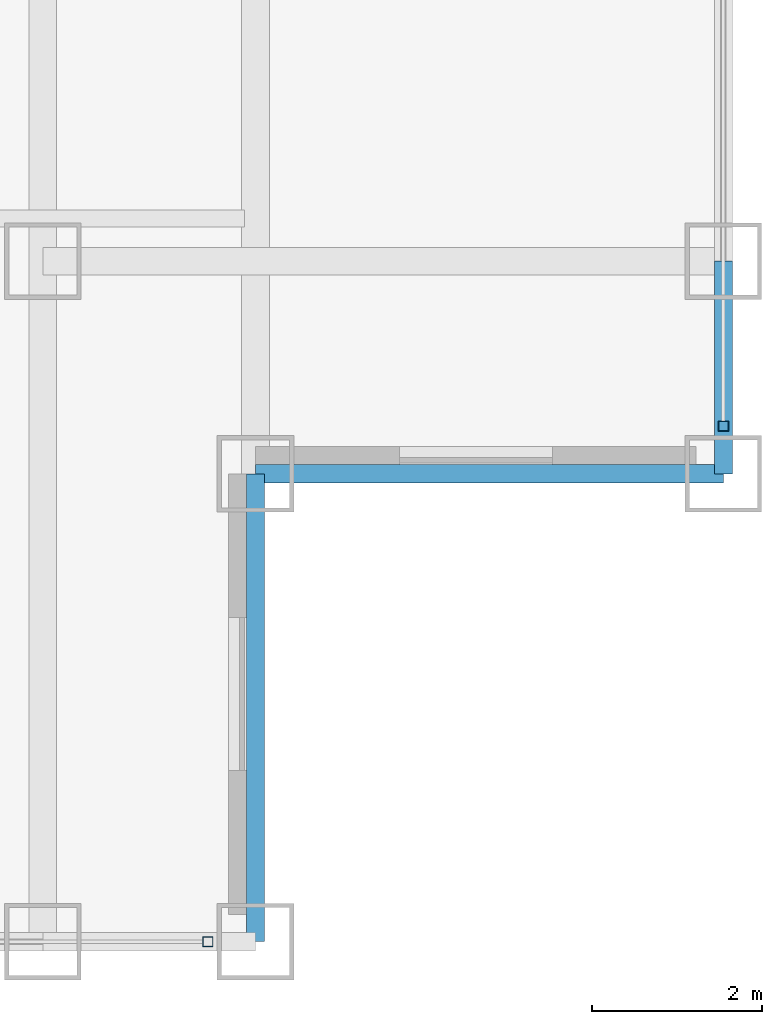
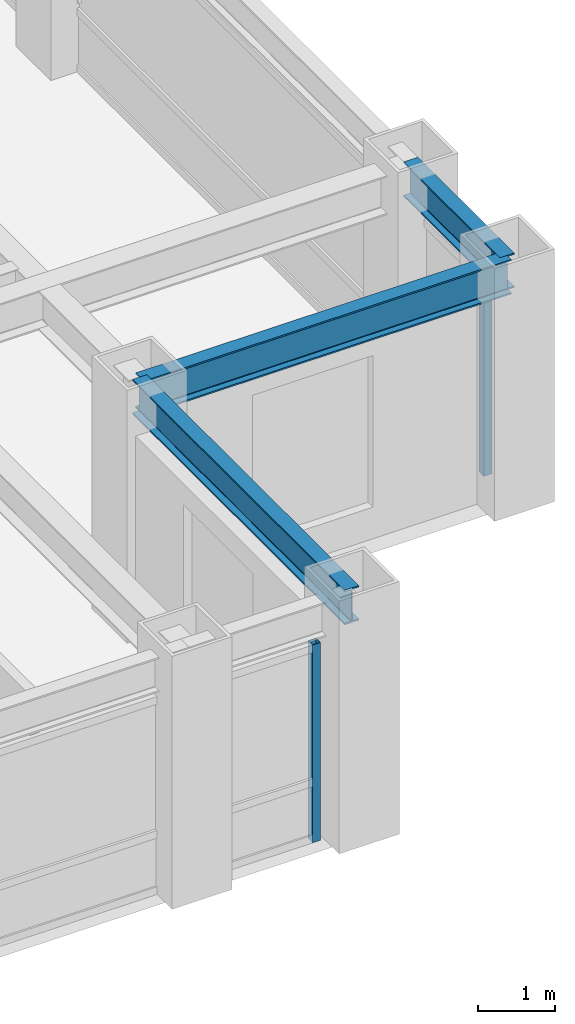
# One storey, part 8 of 22: 3 beams, 2 members, 2 elements without a shape of their own.
"""IFC4 building model written with IfcOpenShell, lengths in metres."""

import ifcopenshell
import ifcopenshell.guid

model = None  # the IFC model being written
_history = None  # IfcOwnerHistory: only IFC2X3 demands one
_inside = {}  # id of a spatial element -> (the spatial element, [elements in it])
_under = {}  # id of a project, library or spatial element -> (it, [spatial elements below it])
_declared = {}  # id of a project -> (the project, [libraries it declares])
_typed = {}  # id of a type object -> (the type object, [elements of that type])
_made_of = {}  # id of a material, layer set ... -> (it, [elements and type objects made of it])


def new_model(schema):
    """Start an empty IFC model of exactly this schema.

    Asked for "IFC4X3", IfcOpenShell would pick the latest addendum, in which some entities
    have other attributes; the version numbers below select the first issue.
    IFC2X3 requires an IfcOwnerHistory on every rooted entity: one is made here for all.
    """
    global model, _history
    if schema == "IFC4X3":
        model = ifcopenshell.file(schema_version=(4, 3, 0, 0))
    else:
        model = ifcopenshell.file(schema=schema)
    _inside.clear()
    _under.clear()
    _declared.clear()
    _typed.clear()
    _made_of.clear()
    _history = None
    if model.schema == "IFC2X3":
        org = make("IfcOrganization", Name="unknown")
        user = make(
            "IfcPersonAndOrganization",
            ThePerson=make("IfcPerson", FamilyName="unknown"),
            TheOrganization=org,
        )
        app = make(
            "IfcApplication",
            ApplicationDeveloper=org,
            Version="unknown",
            ApplicationFullName="unknown",
            ApplicationIdentifier="unknown",
        )
        _history = make(
            "IfcOwnerHistory",
            OwningUser=user,
            OwningApplication=app,
            ChangeAction="ADDED",
            CreationDate=0,
        )
    return model


def make(cls, **values):
    """One entity of the class cls with the attributes given. An attribute that is None is left unset."""
    return model.create_entity(
        cls, **{name: value for name, value in values.items() if value is not None}
    )


def rooted(cls, **values):
    """An entity with a GlobalId (a new one), such as an element, a storey or a relation."""
    return make(cls, GlobalId=ifcopenshell.guid.new(), OwnerHistory=_history, **values)


def si_unit(unit_type, name, prefix=None):
    """IfcSIUnit, for example si_unit("LENGTHUNIT", "METRE", prefix="MILLI")."""
    return make("IfcSIUnit", UnitType=unit_type, Prefix=prefix, Name=name)


def assignment(units):
    """IfcUnitAssignment: the units of a project."""
    return None if units is None else make("IfcUnitAssignment", Units=units)


def point(xyz):
    """IfcCartesianPoint."""
    return None if xyz is None else make("IfcCartesianPoint", Coordinates=xyz)


def direction(xyz):
    """IfcDirection."""
    return None if xyz is None else make("IfcDirection", DirectionRatios=xyz)


def frame(location, z_axis=None, x_axis=None):
    """IfcAxis2Placement3D, a coordinate frame: its origin and axes. An axis left out is left unset."""
    return make(
        "IfcAxis2Placement3D",
        Location=point(location),
        Axis=direction(z_axis),
        RefDirection=direction(x_axis),
    )


def frame_2d(location, x_axis=None):
    """IfcAxis2Placement2D, a coordinate frame in the plane: its origin and x axis."""
    return make(
        "IfcAxis2Placement2D", Location=point(location), RefDirection=direction(x_axis)
    )


def origin():
    """The frame at (0, 0, 0) with its axes left unset."""
    return frame((0.0, 0.0, 0.0))


def origin_2d():
    """The frame at (0, 0) in the plane with its x axis left unset."""
    return frame_2d((0.0, 0.0))


def place(relative_to, where):
    """IfcLocalPlacement: puts the frame where relative to a parent placement (None: the world)."""
    return make(
        "IfcLocalPlacement", PlacementRelTo=relative_to, RelativePlacement=where
    )


def context(
    kind, dimensions, precision=None, world=None, true_north=None, identifier=None
):
    """IfcGeometricRepresentationContext, for example the 3D "Model" context."""
    return make(
        "IfcGeometricRepresentationContext",
        ContextIdentifier=identifier,
        ContextType=kind,
        CoordinateSpaceDimension=dimensions,
        Precision=precision,
        WorldCoordinateSystem=world,
        TrueNorth=true_north,
    )


def subcontext(parent, identifier, kind, view, scale=None):
    """IfcGeometricRepresentationSubContext, for example "Body" below "Model"."""
    return make(
        "IfcGeometricRepresentationSubContext",
        ContextIdentifier=identifier,
        ContextType=kind,
        ParentContext=parent,
        TargetScale=scale,
        TargetView=view,
    )


def project(units=None, contexts=None):
    """IfcProject with its units and contexts."""
    return rooted(
        "IfcProject",
        Name="project",
        RepresentationContexts=contexts,
        UnitsInContext=assignment(units),
    )


def spatial(cls, under=None, at=None, **own):
    """A site, building, storey or space (cls), placed at a placement, below another one or the project."""
    s = rooted(cls, ObjectPlacement=at, **own)
    if under is not None:
        _under.setdefault(under.id(), (under, []))[1].append(s)
    return s


def profile(cls, at=None, kind="AREA", **sizes):
    """A parametric profile (cls). Its sizes go by their IFC names, for example OverallWidth=200.0."""
    return make(cls, ProfileType=kind, Position=at, **sizes)


def hollow_rectangle(**sizes):
    """IfcRectangleHollowProfileDef."""
    return profile("IfcRectangleHollowProfileDef", **sizes)


def i_section(**sizes):
    """IfcIShapeProfileDef."""
    return profile("IfcIShapeProfileDef", **sizes)


def extrude(swept, where, along, depth):
    """IfcExtrudedAreaSolid: the profile swept, set in the frame where, extruded along a direction by depth."""
    return make(
        "IfcExtrudedAreaSolid",
        SweptArea=swept,
        Position=where,
        ExtrudedDirection=direction(along),
        Depth=depth,
    )


def shape(context_of_items, identifier, shape_type, items):
    """IfcShapeRepresentation: the items that make up one representation, for example the "Body"."""
    return make(
        "IfcShapeRepresentation",
        ContextOfItems=context_of_items,
        RepresentationIdentifier=identifier,
        RepresentationType=shape_type,
        Items=items,
    )


def source(mapping_origin, context_of_items, identifier, shape_type, items):
    """IfcRepresentationMap: a shape defined once, which mapped items show again and again."""
    return make(
        "IfcRepresentationMap",
        MappingOrigin=mapping_origin,
        MappedRepresentation=shape(context_of_items, identifier, shape_type, items),
    )


def transform(
    local_origin,
    x_axis=None,
    y_axis=None,
    z_axis=None,
    scale=None,
    scale2=None,
    scale3=None,
    uniform=True,
):
    """IfcCartesianTransformationOperator3D, or its non-uniform kind. x_axis, y_axis, z_axis: its Axis1, 2, 3."""
    if uniform:
        return make(
            "IfcCartesianTransformationOperator3D",
            Axis1=direction(x_axis),
            Axis2=direction(y_axis),
            LocalOrigin=point(local_origin),
            Scale=scale,
            Axis3=direction(z_axis),
        )
    return make(
        "IfcCartesianTransformationOperator3DnonUniform",
        Axis1=direction(x_axis),
        Axis2=direction(y_axis),
        LocalOrigin=point(local_origin),
        Scale=scale,
        Axis3=direction(z_axis),
        Scale2=scale2,
        Scale3=scale3,
    )


def mapped(mapping_source, mapping_target):
    """IfcMappedItem: shows the shape of a source again, moved by a transform."""
    return make(
        "IfcMappedItem", MappingSource=mapping_source, MappingTarget=mapping_target
    )


def material(Name=None, Category=None):
    """IfcMaterial."""
    return make("IfcMaterial", Name=Name, Category=Category)


def material_profile(
    of_material, cross_section, Name=None, Category=None, Priority=None
):
    """IfcMaterialProfile: a cross section and its material."""
    return make(
        "IfcMaterialProfile",
        Name=Name,
        Material=of_material,
        Profile=cross_section,
        Priority=Priority,
        Category=Category,
    )


def profile_set(profiles, Name=None, composite=None):
    """IfcMaterialProfileSet."""
    return make(
        "IfcMaterialProfileSet",
        Name=Name,
        MaterialProfiles=profiles,
        CompositeProfile=composite,
    )


def made_of(thing, what):
    """Note that an element or type object is made of a material, layer set ...; save() writes the relation."""
    if what is not None:
        _made_of.setdefault(what.id(), (what, []))[1].append(thing)
    return thing


def type_object(cls, material=None, **own):
    """A type object (cls), such as IfcWallType, which elements share."""
    return made_of(rooted(cls, **own), material)


def element(
    cls,
    number,
    at=None,
    inside=None,
    cuts=None,
    type_object=None,
    material=None,
    context=None,
    identifier="Body",
    shape_type=None,
    held_by="IfcProductDefinitionShape",
    body=None,
    shapes=None,
    **own,
):
    """One element of the class cls, such as IfcWall. Its Tag is "e" and its number.

    at: its placement. inside: the storey or other place that contains it. cuts: it is an
    opening in that element (IfcRelVoidsElement). A single representation is given by context,
    identifier, shape_type and body (its items); several are given by shapes. held_by: the class
    of the entity that holds the representations. save() writes the other relations.
    """
    e = rooted(cls, Tag="e%d" % number, ObjectPlacement=at, **own)
    if body is not None:
        shapes = [shape(context, identifier, shape_type, body)]
    if shapes is not None:
        e.Representation = make(held_by, Representations=shapes)
    if inside is not None:
        _inside.setdefault(inside.id(), (inside, []))[1].append(e)
    if cuts is not None:
        rooted(
            "IfcRelVoidsElement", RelatingBuildingElement=cuts, RelatedOpeningElement=e
        )
    if type_object is not None:
        _typed.setdefault(type_object.id(), (type_object, []))[1].append(e)
    return made_of(e, material)


def aggregate(whole, parts):
    """IfcRelAggregates: a whole, such as a stair, and the parts it consists of."""
    return rooted("IfcRelAggregates", RelatingObject=whole, RelatedObjects=parts)


def save(model, path):
    """Write the relations noted so far, then the file.

    IfcRelAggregates (storeys below a building ...), IfcRelContainedInSpatialStructure (elements
    in a storey), IfcRelDefinesByType, IfcRelAssociatesMaterial and IfcRelDeclares: one each for
    every whole, place, type object, material and project.
    """
    for whole, parts in _under.values():
        aggregate(whole, parts)
    for where, things in _inside.values():
        rooted(
            "IfcRelContainedInSpatialStructure",
            RelatedElements=things,
            RelatingStructure=where,
        )
    for kind, things in _typed.values():
        rooted("IfcRelDefinesByType", RelatedObjects=things, RelatingType=kind)
    for what, things in _made_of.values():
        rooted("IfcRelAssociatesMaterial", RelatedObjects=things, RelatingMaterial=what)
    for by, libraries in _declared.values():
        rooted("IfcRelDeclares", RelatingContext=by, RelatedDefinitions=libraries)
    model.write(path)


model = new_model("IFC4")

# Units and contexts
model_context = context("Model", 3, precision=1e-05, world=origin(), true_north=direction((0.0, 1.0)))
body_context = subcontext(model_context, "Body", "Model", "MODEL_VIEW")
ifc_project = project(units=[si_unit("LENGTHUNIT", "METRE"), si_unit("AREAUNIT", "SQUARE_METRE"), si_unit("VOLUMEUNIT", "CUBIC_METRE"), si_unit("PLANEANGLEUNIT", "RADIAN"), si_unit("MASSUNIT", "GRAM", prefix="KILO")], contexts=[model_context])

# Site, building, storey
site_placement = place(None, origin())
site = spatial("IfcSite", under=ifc_project, at=site_placement, CompositionType="ELEMENT")
building_placement = place(site_placement, origin())
building = spatial("IfcBuilding", under=site, at=building_placement, Name="Khorayat Bourse Tower", CompositionType="ELEMENT")
storey_placement = place(building_placement, frame((0.0, 0.0, 289.5)))
storey = spatial("IfcBuildingStorey", under=building, at=storey_placement, Name="L68", CompositionType="ELEMENT", Elevation=289.5)

# Beams
ifc_material_1 = material(Name="Steel ASTM A992 Grade 50", Category="steel")
ifc_material_profile_1 = material_profile(ifc_material_1, i_section(OverallWidth=0.214111328125, OverallDepth=0.549072265625, WebThickness=0.0146484375, FlangeThickness=0.023681640625, FilletRadius=0.013916015625, at=origin_2d()), Name="W530X138")
ifc_profile_set_1 = profile_set([ifc_material_profile_1], Name="Steel ASTM A992 Grade 50")
beam_type = type_object("IfcBeamType", Name="BM-SPAN-530", PredefinedType="SPANDREL", material=ifc_profile_set_1)
shared_shape_1 = source(origin(), body_context, "Body", "SweptSolid", [
    extrude(i_section(OverallWidth=0.214111328125, OverallDepth=0.549072265625, WebThickness=0.0146484375, FlangeThickness=0.023681640625, FilletRadius=0.013916015625, at=origin_2d()), origin(), (0.0, 0.0, 1.0), 2.5),
])
beam_placement = place(storey_placement, frame((28.0, -22.5, 3.505615234375), z_axis=(0.0, 1.0, 0.0), x_axis=(-1.0, 0.0, 0.0)))
element("IfcBeam", 1, at=beam_placement, inside=storey, type_object=beam_type, Name="L68 BM-SPAN-530 BM-L68-SPN-034", PredefinedType="SPANDREL", context=body_context, shape_type="MappedRepresentation", body=[
    mapped(shared_shape_1, transform((0.0, 0.0, 0.0), scale=1.0)),
])
shared_shape_2 = source(origin(), body_context, "Body", "SweptSolid", [
    extrude(i_section(OverallWidth=0.214111328125, OverallDepth=0.549072265625, WebThickness=0.0146484375, FlangeThickness=0.023681640625, FilletRadius=0.013916015625, at=origin_2d()), origin(), (0.0, 0.0, 1.0), 5.5),
])
for number, where, z_axis, x_axis, name in (
    (2, (22.5, -28.0, 3.505615234375), (0.0, 1.0, 0.0), (-1.0, 0.0, 0.0), "L68 BM-SPAN-530 BM-L68-SPN-032"),
    (3, (22.5, -22.5, 3.505615234375), (1.0, 0.0, 0.0), (0.0, 1.0, 0.0), "L68 BM-SPAN-530 BM-L68-SPN-033"),
):
    element("IfcBeam", number, at=place(storey_placement, frame(where, z_axis=z_axis, x_axis=x_axis)), inside=storey, type_object=beam_type, Name=name, PredefinedType="SPANDREL", context=body_context, shape_type="MappedRepresentation", body=[
        mapped(shared_shape_2, transform((0.0, 0.0, 0.0), scale=1.0)),
    ])

# Curtain wall, member
ifc_material_2 = material(Name="Aluminium EN AW-6063 T6", Category="aluminium")
curtain_wall_type = type_object("IfcCurtainWallType", Name="CW-SYS-04", PredefinedType="NOTDEFINED", material=ifc_material_2)
curtain_wall_1_placement = place(storey_placement, origin())
curtain_wall_1 = element("IfcCurtainWall", 4, at=curtain_wall_1_placement, inside=storey, type_object=curtain_wall_type, Name="L68 Curtain Wall CW-L68-S1", PredefinedType="NOTDEFINED")
ifc_material_profile_2 = material_profile(ifc_material_2, hollow_rectangle(XDim=0.1201171875, YDim=0.1201171875, WallThickness=0.0048828125, at=origin_2d()), Name="ALU 120x120x5")
ifc_profile_set_2 = profile_set([ifc_material_profile_2], Name="Aluminium EN AW-6063 T6")
member_type = type_object("IfcMemberType", Name="CWM-VERT-120", PredefinedType="MULLION", material=ifc_profile_set_2)
shared_shape_3 = source(origin(), body_context, "Body", "SweptSolid", [
    extrude(hollow_rectangle(XDim=0.1201171875, YDim=0.1201171875, WallThickness=0.0048828125, at=origin_2d()), origin(), (0.0, 0.0, 1.0), 3.1298828125),
])
member_1_placement = place(storey_placement, frame((21.93994140625, -28.0, 0.0), z_axis=(0.0, 0.0, 1.0), x_axis=(0.0, 1.0, 0.0)))
member_1 = element("IfcMember", 5, at=member_1_placement, type_object=member_type, Name="CW-L68-S1 Vertical Mullion 3", PredefinedType="MULLION", context=body_context, shape_type="MappedRepresentation", body=[
    mapped(shared_shape_3, transform((0.0, 0.0, 0.0), scale=1.0)),
])
aggregate(curtain_wall_1, [member_1])

curtain_wall_2_placement = place(storey_placement, origin())
curtain_wall_2 = element("IfcCurtainWall", 6, at=curtain_wall_2_placement, inside=storey, type_object=curtain_wall_type, Name="L68 Curtain Wall CW-L68-E1", PredefinedType="NOTDEFINED")
member_2_placement = place(storey_placement, frame((28.0, -21.93994140625, 0.0), z_axis=(0.0, 0.0, 1.0), x_axis=(-1.0, 0.0, 0.0)))
member_2 = element("IfcMember", 7, at=member_2_placement, type_object=member_type, Name="CW-L68-E1 Vertical Mullion 1", PredefinedType="MULLION", context=body_context, shape_type="MappedRepresentation", body=[
    mapped(shared_shape_3, transform((0.0, 0.0, 0.0), scale=1.0)),
])
aggregate(curtain_wall_2, [member_2])

save(model, "model.ifc")
